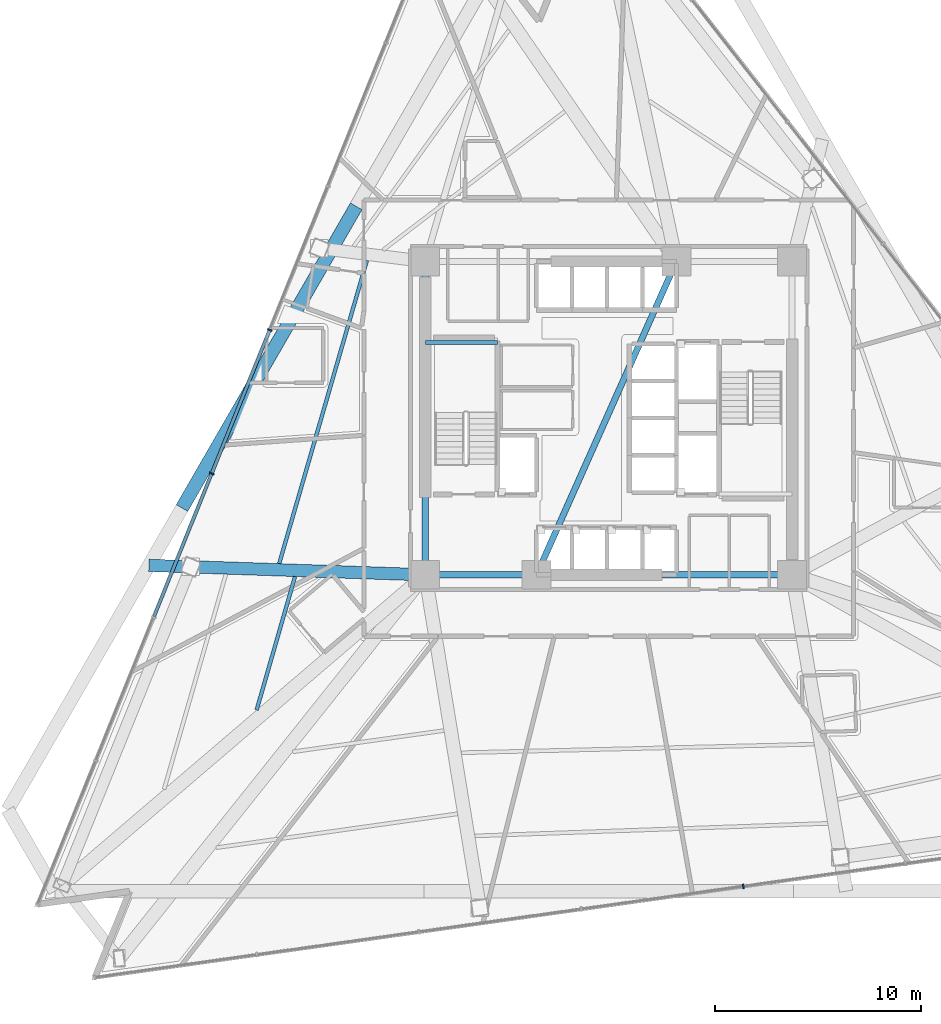
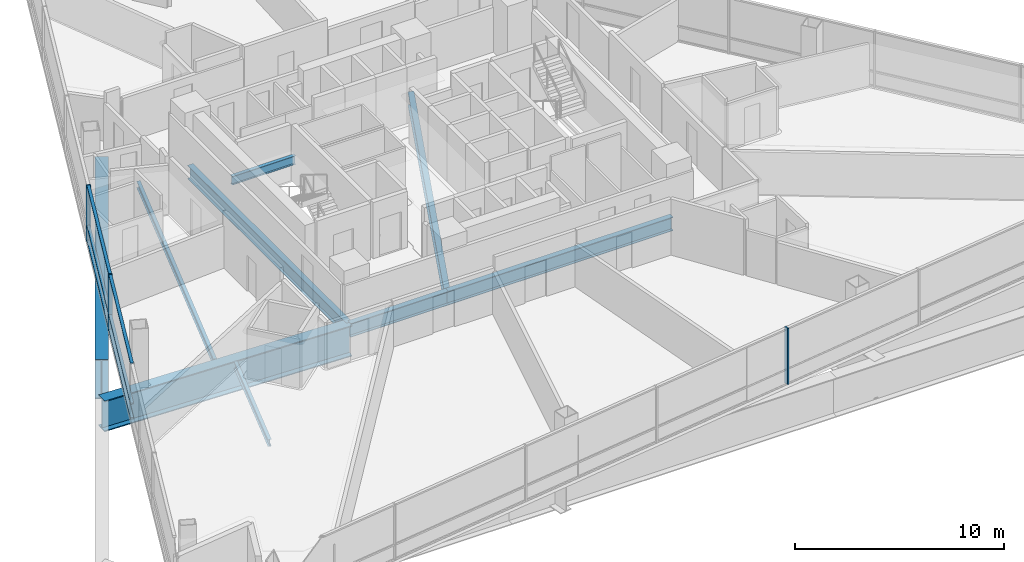
# One storey, part 3 of 15: 9 beams, 9 members, 2 elements without a shape of their own.
"""IFC4 building model written with IfcOpenShell, lengths in metres."""

import ifcopenshell
import ifcopenshell.guid

model = None  # the IFC model being written
_history = None  # IfcOwnerHistory: only IFC2X3 demands one
_inside = {}  # id of a spatial element -> (the spatial element, [elements in it])
_under = {}  # id of a project, library or spatial element -> (it, [spatial elements below it])
_declared = {}  # id of a project -> (the project, [libraries it declares])
_typed = {}  # id of a type object -> (the type object, [elements of that type])
_made_of = {}  # id of a material, layer set ... -> (it, [elements and type objects made of it])


def new_model(schema):
    """Start an empty IFC model of exactly this schema.

    Asked for "IFC4X3", IfcOpenShell would pick the latest addendum, in which some entities
    have other attributes; the version numbers below select the first issue.
    IFC2X3 requires an IfcOwnerHistory on every rooted entity: one is made here for all.
    """
    global model, _history
    if schema == "IFC4X3":
        model = ifcopenshell.file(schema_version=(4, 3, 0, 0))
    else:
        model = ifcopenshell.file(schema=schema)
    _inside.clear()
    _under.clear()
    _declared.clear()
    _typed.clear()
    _made_of.clear()
    _history = None
    if model.schema == "IFC2X3":
        org = make("IfcOrganization", Name="unknown")
        user = make(
            "IfcPersonAndOrganization",
            ThePerson=make("IfcPerson", FamilyName="unknown"),
            TheOrganization=org,
        )
        app = make(
            "IfcApplication",
            ApplicationDeveloper=org,
            Version="unknown",
            ApplicationFullName="unknown",
            ApplicationIdentifier="unknown",
        )
        _history = make(
            "IfcOwnerHistory",
            OwningUser=user,
            OwningApplication=app,
            ChangeAction="ADDED",
            CreationDate=0,
        )
    return model


def make(cls, **values):
    """One entity of the class cls with the attributes given. An attribute that is None is left unset."""
    return model.create_entity(
        cls, **{name: value for name, value in values.items() if value is not None}
    )


def rooted(cls, **values):
    """An entity with a GlobalId (a new one), such as an element, a storey or a relation."""
    return make(cls, GlobalId=ifcopenshell.guid.new(), OwnerHistory=_history, **values)


def si_unit(unit_type, name, prefix=None):
    """IfcSIUnit, for example si_unit("LENGTHUNIT", "METRE", prefix="MILLI")."""
    return make("IfcSIUnit", UnitType=unit_type, Prefix=prefix, Name=name)


def assignment(units):
    """IfcUnitAssignment: the units of a project."""
    return None if units is None else make("IfcUnitAssignment", Units=units)


def point(xyz):
    """IfcCartesianPoint."""
    return None if xyz is None else make("IfcCartesianPoint", Coordinates=xyz)


def direction(xyz):
    """IfcDirection."""
    return None if xyz is None else make("IfcDirection", DirectionRatios=xyz)


def frame(location, z_axis=None, x_axis=None):
    """IfcAxis2Placement3D, a coordinate frame: its origin and axes. An axis left out is left unset."""
    return make(
        "IfcAxis2Placement3D",
        Location=point(location),
        Axis=direction(z_axis),
        RefDirection=direction(x_axis),
    )


def frame_2d(location, x_axis=None):
    """IfcAxis2Placement2D, a coordinate frame in the plane: its origin and x axis."""
    return make(
        "IfcAxis2Placement2D", Location=point(location), RefDirection=direction(x_axis)
    )


def origin():
    """The frame at (0, 0, 0) with its axes left unset."""
    return frame((0.0, 0.0, 0.0))


def origin_2d():
    """The frame at (0, 0) in the plane with its x axis left unset."""
    return frame_2d((0.0, 0.0))


def place(relative_to, where):
    """IfcLocalPlacement: puts the frame where relative to a parent placement (None: the world)."""
    return make(
        "IfcLocalPlacement", PlacementRelTo=relative_to, RelativePlacement=where
    )


def context(
    kind, dimensions, precision=None, world=None, true_north=None, identifier=None
):
    """IfcGeometricRepresentationContext, for example the 3D "Model" context."""
    return make(
        "IfcGeometricRepresentationContext",
        ContextIdentifier=identifier,
        ContextType=kind,
        CoordinateSpaceDimension=dimensions,
        Precision=precision,
        WorldCoordinateSystem=world,
        TrueNorth=true_north,
    )


def subcontext(parent, identifier, kind, view, scale=None):
    """IfcGeometricRepresentationSubContext, for example "Body" below "Model"."""
    return make(
        "IfcGeometricRepresentationSubContext",
        ContextIdentifier=identifier,
        ContextType=kind,
        ParentContext=parent,
        TargetScale=scale,
        TargetView=view,
    )


def project(units=None, contexts=None):
    """IfcProject with its units and contexts."""
    return rooted(
        "IfcProject",
        Name="project",
        RepresentationContexts=contexts,
        UnitsInContext=assignment(units),
    )


def spatial(cls, under=None, at=None, **own):
    """A site, building, storey or space (cls), placed at a placement, below another one or the project."""
    s = rooted(cls, ObjectPlacement=at, **own)
    if under is not None:
        _under.setdefault(under.id(), (under, []))[1].append(s)
    return s


def profile(cls, at=None, kind="AREA", **sizes):
    """A parametric profile (cls). Its sizes go by their IFC names, for example OverallWidth=200.0."""
    return make(cls, ProfileType=kind, Position=at, **sizes)


def rectangle(**sizes):
    """IfcRectangleProfileDef."""
    return profile("IfcRectangleProfileDef", **sizes)


def i_section(**sizes):
    """IfcIShapeProfileDef."""
    return profile("IfcIShapeProfileDef", **sizes)


def extrude(swept, where, along, depth):
    """IfcExtrudedAreaSolid: the profile swept, set in the frame where, extruded along a direction by depth."""
    return make(
        "IfcExtrudedAreaSolid",
        SweptArea=swept,
        Position=where,
        ExtrudedDirection=direction(along),
        Depth=depth,
    )


def shape(context_of_items, identifier, shape_type, items):
    """IfcShapeRepresentation: the items that make up one representation, for example the "Body"."""
    return make(
        "IfcShapeRepresentation",
        ContextOfItems=context_of_items,
        RepresentationIdentifier=identifier,
        RepresentationType=shape_type,
        Items=items,
    )


def material(Name=None, Category=None):
    """IfcMaterial."""
    return make("IfcMaterial", Name=Name, Category=Category)


def layer(
    of_material, thickness, ventilated=None, Name=None, Category=None, Priority=None
):
    """IfcMaterialLayer: one layer of a wall or slab, of a material (None: an air gap)."""
    return make(
        "IfcMaterialLayer",
        Material=of_material,
        LayerThickness=thickness,
        IsVentilated=ventilated,
        Name=Name,
        Category=Category,
        Priority=Priority,
    )


def layer_set(layers, Name=None):
    """IfcMaterialLayerSet."""
    return make("IfcMaterialLayerSet", MaterialLayers=layers, LayerSetName=Name)


def material_profile(
    of_material, cross_section, Name=None, Category=None, Priority=None
):
    """IfcMaterialProfile: a cross section and its material."""
    return make(
        "IfcMaterialProfile",
        Name=Name,
        Material=of_material,
        Profile=cross_section,
        Priority=Priority,
        Category=Category,
    )


def profile_set(profiles, Name=None, composite=None):
    """IfcMaterialProfileSet."""
    return make(
        "IfcMaterialProfileSet",
        Name=Name,
        MaterialProfiles=profiles,
        CompositeProfile=composite,
    )


def made_of(thing, what):
    """Note that an element or type object is made of a material, layer set ...; save() writes the relation."""
    if what is not None:
        _made_of.setdefault(what.id(), (what, []))[1].append(thing)
    return thing


def type_object(cls, material=None, **own):
    """A type object (cls), such as IfcWallType, which elements share."""
    return made_of(rooted(cls, **own), material)


def element(
    cls,
    number,
    at=None,
    inside=None,
    cuts=None,
    type_object=None,
    material=None,
    context=None,
    identifier="Body",
    shape_type=None,
    held_by="IfcProductDefinitionShape",
    body=None,
    shapes=None,
    **own,
):
    """One element of the class cls, such as IfcWall. Its Tag is "e" and its number.

    at: its placement. inside: the storey or other place that contains it. cuts: it is an
    opening in that element (IfcRelVoidsElement). A single representation is given by context,
    identifier, shape_type and body (its items); several are given by shapes. held_by: the class
    of the entity that holds the representations. save() writes the other relations.
    """
    e = rooted(cls, Tag="e%d" % number, ObjectPlacement=at, **own)
    if body is not None:
        shapes = [shape(context, identifier, shape_type, body)]
    if shapes is not None:
        e.Representation = make(held_by, Representations=shapes)
    if inside is not None:
        _inside.setdefault(inside.id(), (inside, []))[1].append(e)
    if cuts is not None:
        rooted(
            "IfcRelVoidsElement", RelatingBuildingElement=cuts, RelatedOpeningElement=e
        )
    if type_object is not None:
        _typed.setdefault(type_object.id(), (type_object, []))[1].append(e)
    return made_of(e, material)


def aggregate(whole, parts):
    """IfcRelAggregates: a whole, such as a stair, and the parts it consists of."""
    return rooted("IfcRelAggregates", RelatingObject=whole, RelatedObjects=parts)


def save(model, path):
    """Write the relations noted so far, then the file.

    IfcRelAggregates (storeys below a building ...), IfcRelContainedInSpatialStructure (elements
    in a storey), IfcRelDefinesByType, IfcRelAssociatesMaterial and IfcRelDeclares: one each for
    every whole, place, type object, material and project.
    """
    for whole, parts in _under.values():
        aggregate(whole, parts)
    for where, things in _inside.values():
        rooted(
            "IfcRelContainedInSpatialStructure",
            RelatedElements=things,
            RelatingStructure=where,
        )
    for kind, things in _typed.values():
        rooted("IfcRelDefinesByType", RelatedObjects=things, RelatingType=kind)
    for what, things in _made_of.values():
        rooted("IfcRelAssociatesMaterial", RelatedObjects=things, RelatingMaterial=what)
    for by, libraries in _declared.values():
        rooted("IfcRelDeclares", RelatingContext=by, RelatedDefinitions=libraries)
    model.write(path)


model = new_model("IFC4")

# Units and contexts
model_context = context("Model", 3, precision=1e-05, world=origin(), true_north=direction((0.0, 1.0)))
body_context = subcontext(model_context, "Body", "Model", "MODEL_VIEW")
ifc_project = project(units=[si_unit("LENGTHUNIT", "METRE"), si_unit("AREAUNIT", "SQUARE_METRE"), si_unit("VOLUMEUNIT", "CUBIC_METRE"), si_unit("PLANEANGLEUNIT", "RADIAN"), si_unit("MASSUNIT", "GRAM", prefix="KILO")], contexts=[model_context])

# Site, building, storey
site_placement = place(None, origin())
site = spatial("IfcSite", under=ifc_project, at=site_placement, CompositionType="ELEMENT")
building_placement = place(site_placement, origin())
building = spatial("IfcBuilding", under=site, at=building_placement, Name="Tharavind Bronze Gate", CompositionType="ELEMENT")
storey_placement = place(building_placement, frame((0.0, 0.0, 57.0)))
storey = spatial("IfcBuildingStorey", under=building, at=storey_placement, Name="L13", CompositionType="ELEMENT", Elevation=57.0)

# Curtain wall, members
ifc_material_1 = material(Name="Anodised Bronze Aluminium", Category="aluminium")
ifc_layer = layer(ifc_material_1, 0.219970703125)
ifc_layer_set = layer_set([ifc_layer], Name="Anodised Bronze Aluminium")
curtain_wall_type = type_object("IfcCurtainWallType", Name="UNITISED CURTAIN WALL HOTEL", PredefinedType="USERDEFINED", material=ifc_layer_set)
curtain_wall_1_placement = place(storey_placement, origin())
curtain_wall_1 = element("IfcCurtainWall", 1, at=curtain_wall_1_placement, inside=storey, type_object=curtain_wall_type, Name="L13 unitised curtain wall hotel CW-L13-S1", ObjectType="UNITISED CURTAIN WALL", PredefinedType="USERDEFINED")
member_type_1 = type_object("IfcMemberType", Name="CURTAIN WALL MULLION 80X220", PredefinedType="MULLION", material=ifc_material_1)
member_1_placement = place(storey_placement, frame((-16.4462890625, 4.279541015625, 0.0), z_axis=(0.0, 0.0, 1.0), x_axis=(-0.374606593416, -0.927183854567, 0.0)))
member_1 = element("IfcMember", 2, at=member_1_placement, type_object=member_type_1, Name="CW-L13-S1 mullion 4", PredefinedType="MULLION", context=body_context, shape_type="SweptSolid", body=[
    extrude(rectangle(XDim=0.080078125, YDim=0.219970703125, at=origin_2d()), origin(), (0.0, 0.0, 1.0), 3.27490234375),
])
member_2_placement = place(storey_placement, frame((-19.261474609375, -2.688232421875, 0.0), z_axis=(0.0, 0.0, 1.0), x_axis=(-0.374606593416, -0.927183854567, 0.0)))
member_2 = element("IfcMember", 3, at=member_2_placement, type_object=member_type_1, Name="CW-L13-S1 mullion 5", PredefinedType="MULLION", context=body_context, shape_type="SweptSolid", body=[
    extrude(rectangle(XDim=0.080078125, YDim=0.219970703125, at=origin_2d()), origin(), (0.0, 0.0, 1.0), 3.27490234375),
])

# Curtain wall, member
curtain_wall_2_placement = place(storey_placement, origin())
curtain_wall_2 = element("IfcCurtainWall", 4, at=curtain_wall_2_placement, inside=storey, type_object=curtain_wall_type, Name="L13 unitised curtain wall hotel CW-L13-S2", ObjectType="UNITISED CURTAIN WALL", PredefinedType="USERDEFINED")
member_3_placement = place(storey_placement, frame((6.52880859375, -22.7158203125, 0.0), z_axis=(0.0, 0.0, 1.0), x_axis=(0.990268068742, 0.13917310096, 0.0)))
member_3 = element("IfcMember", 5, at=member_3_placement, type_object=member_type_1, Name="CW-L13-S2 mullion 5", PredefinedType="MULLION", context=body_context, shape_type="SweptSolid", body=[
    extrude(rectangle(XDim=0.080078125, YDim=0.219970703125, at=origin_2d()), origin(), (0.0, 0.0, 1.0), 3.27490234375),
])
aggregate(curtain_wall_2, [member_3])

# Member
member_type_2 = type_object("IfcMemberType", Name="CURTAIN WALL TRANSOM 80X160", PredefinedType="USERDEFINED", material=ifc_material_1)
member_4_placement = place(storey_placement, frame((-17.85400390625, 0.795654296875, 0.0), z_axis=(0.0, 0.0, 1.0), x_axis=(-0.374606593416, -0.927183854567, 0.0)))
member_4 = element("IfcMember", 6, at=member_4_placement, type_object=member_type_2, Name="CW-L13-S1 transom TB4", ObjectType="TRANSOM", PredefinedType="USERDEFINED", context=body_context, shape_type="SweptSolid", body=[
    extrude(rectangle(XDim=7.447021484375, YDim=0.159912109375, at=origin_2d()), origin(), (0.0, 0.0, 1.0), 0.080078125),
])

member_5_placement = place(storey_placement, frame((-17.85400390625, 0.795654296875, 0.85986328125), z_axis=(0.0, 0.0, 1.0), x_axis=(-0.374606593416, -0.927183854567, 0.0)))
member_5 = element("IfcMember", 7, at=member_5_placement, type_object=member_type_2, Name="CW-L13-S1 transom TS4", ObjectType="TRANSOM", PredefinedType="USERDEFINED", context=body_context, shape_type="SweptSolid", body=[
    extrude(rectangle(XDim=7.447021484375, YDim=0.159912109375, at=origin_2d()), origin(), (0.0, 0.0, 1.0), 0.080078125),
])

member_6_placement = place(storey_placement, frame((-17.85400390625, 0.795654296875, 3.195068359375), z_axis=(0.0, 0.0, 1.0), x_axis=(-0.374606593416, -0.927183854567, 0.0)))
member_6 = element("IfcMember", 8, at=member_6_placement, type_object=member_type_2, Name="CW-L13-S1 transom TT4", ObjectType="TRANSOM", PredefinedType="USERDEFINED", context=body_context, shape_type="SweptSolid", body=[
    extrude(rectangle(XDim=7.447021484375, YDim=0.159912109375, at=origin_2d()), origin(), (0.0, 0.0, 1.0), 0.080078125),
])

member_7_placement = place(storey_placement, frame((-20.669189453125, -6.17236328125, 0.0), z_axis=(0.0, 0.0, 1.0), x_axis=(-0.374606593416, -0.927183854567, 0.0)))
member_7 = element("IfcMember", 9, at=member_7_placement, type_object=member_type_2, Name="CW-L13-S1 transom TB5", ObjectType="TRANSOM", PredefinedType="USERDEFINED", context=body_context, shape_type="SweptSolid", body=[
    extrude(rectangle(XDim=7.447021484375, YDim=0.159912109375, at=origin_2d()), origin(), (0.0, 0.0, 1.0), 0.080078125),
])

member_8_placement = place(storey_placement, frame((-20.669189453125, -6.17236328125, 0.85986328125), z_axis=(0.0, 0.0, 1.0), x_axis=(-0.374606593416, -0.927183854567, 0.0)))
member_8 = element("IfcMember", 10, at=member_8_placement, type_object=member_type_2, Name="CW-L13-S1 transom TS5", ObjectType="TRANSOM", PredefinedType="USERDEFINED", context=body_context, shape_type="SweptSolid", body=[
    extrude(rectangle(XDim=7.447021484375, YDim=0.159912109375, at=origin_2d()), origin(), (0.0, 0.0, 1.0), 0.080078125),
])

member_9_placement = place(storey_placement, frame((-20.669189453125, -6.17236328125, 3.195068359375), z_axis=(0.0, 0.0, 1.0), x_axis=(-0.374606593416, -0.927183854567, 0.0)))
member_9 = element("IfcMember", 11, at=member_9_placement, type_object=member_type_2, Name="CW-L13-S1 transom TT5", ObjectType="TRANSOM", PredefinedType="USERDEFINED", context=body_context, shape_type="SweptSolid", body=[
    extrude(rectangle(XDim=7.447021484375, YDim=0.159912109375, at=origin_2d()), origin(), (0.0, 0.0, 1.0), 0.080078125),
])

aggregate(curtain_wall_1, [member_1, member_2, member_4, member_5, member_6, member_7, member_8, member_9])

# Beams
ifc_material_2 = material(Name="Steel S355", Category="steel")
ifc_material_profile_1 = material_profile(ifc_material_2, i_section(OverallWidth=0.199951171875, OverallDepth=0.5, WebThickness=0.01025390625, FlangeThickness=0.01611328125, at=origin_2d()), Name="IPE500")
ifc_profile_set_1 = profile_set([ifc_material_profile_1], Name="Steel S355")
beam_type_1 = type_object("IfcBeamType", Name="PRIMARY GIRDER IPE500", PredefinedType="USERDEFINED", material=ifc_profile_set_1)
beam_1_placement = place(storey_placement, frame((-8.89990234375, 3.679931640625, 1.27490234375), z_axis=(1.0, 0.0, 0.0), x_axis=(0.0, 1.0, 0.0)))
element("IfcBeam", 12, at=beam_1_placement, inside=storey, type_object=beam_type_1, Name="L13 primary girder ipe500 BM-LD-ST1-L13-1", ObjectType="GIRDER", PredefinedType="USERDEFINED", context=body_context, shape_type="SweptSolid", body=[
    extrude(i_section(OverallWidth=0.199951171875, OverallDepth=0.5, WebThickness=0.01025390625, FlangeThickness=0.01611328125, at=origin_2d()), origin(), (0.0, 0.0, 1.0), 3.5),
])
ifc_material_profile_2 = material_profile(ifc_material_2, i_section(OverallWidth=0.300048828125, OverallDepth=0.800048828125, WebThickness=0.017578125, FlangeThickness=0.032958984375, at=origin_2d()), Name="HE800B")
ifc_profile_set_2 = profile_set([ifc_material_profile_2], Name="Steel S355")
beam_type_2 = type_object("IfcBeamType", Name="RING GIRDER HE800B", PredefinedType="USERDEFINED", material=ifc_profile_set_2)
beam_2_placement = place(storey_placement, frame((-8.89990234375, -7.60009765625, -0.590087890625), z_axis=(1.0, 0.0, 0.0), x_axis=(0.0, 1.0, 0.0)))
element("IfcBeam", 13, at=beam_2_placement, inside=storey, type_object=beam_type_2, Name="L13 ring girder he800b BM-L13-CR1", ObjectType="GIRDER", PredefinedType="USERDEFINED", context=body_context, shape_type="SweptSolid", body=[
    extrude(i_section(OverallWidth=0.300048828125, OverallDepth=0.800048828125, WebThickness=0.017578125, FlangeThickness=0.032958984375, at=origin_2d()), origin(), (0.0, 0.0, 1.0), 5.39990234375),
])
beam_3_placement = place(storey_placement, frame((-3.5, -7.60009765625, -0.590087890625), z_axis=(1.0, 0.0, 0.0), x_axis=(0.0, 1.0, 0.0)))
element("IfcBeam", 14, at=beam_3_placement, inside=storey, type_object=beam_type_2, Name="L13 ring girder he800b BM-L13-CR2", ObjectType="GIRDER", PredefinedType="USERDEFINED", context=body_context, shape_type="SweptSolid", body=[
    extrude(i_section(OverallWidth=0.300048828125, OverallDepth=0.800048828125, WebThickness=0.017578125, FlangeThickness=0.032958984375, at=origin_2d()), origin(), (0.0, 0.0, 1.0), 12.39990234375),
])
beam_4_placement = place(storey_placement, frame((-8.89990234375, 7.60009765625, -0.590087890625), z_axis=(0.0, -1.0, 0.0), x_axis=(1.0, 0.0, 0.0)))
element("IfcBeam", 15, at=beam_4_placement, inside=storey, type_object=beam_type_2, Name="L13 ring girder he800b BM-L13-CR6", ObjectType="GIRDER", PredefinedType="USERDEFINED", context=body_context, shape_type="SweptSolid", body=[
    extrude(i_section(OverallWidth=0.300048828125, OverallDepth=0.800048828125, WebThickness=0.017578125, FlangeThickness=0.032958984375, at=origin_2d()), origin(), (0.0, 0.0, 1.0), 15.2001953125),
])
beam_5_placement = place(storey_placement, frame((-3.5, -7.60009765625, -0.590087890625), z_axis=(0.407361644566, 0.913266932795, 0.0), x_axis=(-0.913266932795, 0.407361644566, 0.0)))
element("IfcBeam", 16, at=beam_5_placement, inside=storey, type_object=beam_type_2, Name="L13 ring girder he800b BM-L13-CR7", ObjectType="GIRDER", PredefinedType="USERDEFINED", context=body_context, shape_type="SweptSolid", body=[
    extrude(i_section(OverallWidth=0.300048828125, OverallDepth=0.800048828125, WebThickness=0.017578125, FlangeThickness=0.032958984375, at=origin_2d()), origin(), (0.0, 0.0, 1.0), 16.643798828125),
])
ifc_material_profile_3 = material_profile(ifc_material_2, i_section(OverallWidth=0.179931640625, OverallDepth=0.39990234375, WebThickness=0.008544921875, FlangeThickness=0.013427734375, at=origin_2d()), Name="IPE400")
ifc_profile_set_3 = profile_set([ifc_material_profile_3], Name="Steel S355")
beam_type_3 = type_object("IfcBeamType", Name="SECONDARY FLOOR JOIST IPE400", PredefinedType="JOIST", material=ifc_profile_set_3)
beam_6_placement = place(storey_placement, frame((-11.7333984375, 7.64794921875, -0.389892578125), z_axis=(-0.277955440636, -0.960593968865, 0.0), x_axis=(0.960593968865, -0.277955440636, 0.0)))
element("IfcBeam", 17, at=beam_6_placement, inside=storey, type_object=beam_type_3, Name="L13 secondary floor joist ipe400 BM-L13-JSTA02", PredefinedType="JOIST", context=body_context, shape_type="SweptSolid", body=[
    extrude(i_section(OverallWidth=0.179931640625, OverallDepth=0.39990234375, WebThickness=0.008544921875, FlangeThickness=0.013427734375, at=origin_2d()), origin(), (0.0, 0.0, 1.0), 15.30615234375),
])
beam_7_placement = place(storey_placement, frame((-15.22265625, -7.689208984375, -0.389892578125), z_axis=(-0.276266021954, -0.961081206306, 0.0), x_axis=(0.961081206306, -0.276266021954, 0.0)))
element("IfcBeam", 18, at=beam_7_placement, inside=storey, type_object=beam_type_3, Name="L13 secondary floor joist ipe400 BM-L13-JSTA03", PredefinedType="JOIST", context=body_context, shape_type="SweptSolid", body=[
    extrude(i_section(OverallWidth=0.179931640625, OverallDepth=0.39990234375, WebThickness=0.008544921875, FlangeThickness=0.013427734375, at=origin_2d()), origin(), (0.0, 0.0, 1.0), 6.739990234375),
])
ifc_material_3 = material(Name="Steel S460", Category="steel")
ifc_material_profile_4 = material_profile(ifc_material_3, i_section(OverallWidth=0.60009765625, OverallDepth=1.800048828125, WebThickness=0.031982421875, FlangeThickness=0.054931640625, at=origin_2d()), Name="PG1800X600")
ifc_profile_set_4 = profile_set([ifc_material_profile_4], Name="Steel S460")
beam_type_4 = type_object("IfcBeamType", Name="TRANSFER GIRDER 1800X600", PredefinedType="USERDEFINED", material=ifc_profile_set_4)
beam_8_placement = place(storey_placement, frame((-8.89990234375, -7.60009765625, -1.090087890625), z_axis=(-0.999422307851, 0.033986034935, 0.0), x_axis=(-0.033986034935, -0.999422307851, 0.0)))
element("IfcBeam", 19, at=beam_8_placement, inside=storey, type_object=beam_type_4, Name="L13 transfer girder 1800x600 BM-L13-XFR03", ObjectType="TRANSFER GIRDER", PredefinedType="USERDEFINED", context=body_context, shape_type="SweptSolid", body=[
    extrude(i_section(OverallWidth=0.60009765625, OverallDepth=1.800048828125, WebThickness=0.031982421875, FlangeThickness=0.054931640625, at=origin_2d()), origin(), (0.0, 0.0, 1.0), 13.4189453125),
])
ifc_material_profile_5 = material_profile(ifc_material_3, i_section(OverallWidth=0.64990234375, OverallDepth=2.300048828125, WebThickness=0.035888671875, FlangeThickness=0.05810546875, at=origin_2d()), Name="PG2300X650")
ifc_profile_set_5 = profile_set([ifc_material_profile_5], Name="Steel S460")
beam_type_5 = type_object("IfcBeamType", Name="TRANSFER GIRDER 2300X650", PredefinedType="USERDEFINED", material=ifc_profile_set_5)
beam_9_placement = place(storey_placement, frame((-12.252197265625, 10.278564453125, -1.340087890625), z_axis=(-0.50000832373, -0.866020598023, 0.0), x_axis=(0.866020598023, -0.50000832373, 0.0)))
element("IfcBeam", 20, at=beam_9_placement, inside=storey, type_object=beam_type_5, Name="L13 transfer girder 2300x650 BM-L13-LRG02", ObjectType="TRANSFER GIRDER", PredefinedType="USERDEFINED", context=body_context, shape_type="SweptSolid", body=[
    extrude(i_section(OverallWidth=0.64990234375, OverallDepth=2.300048828125, WebThickness=0.035888671875, FlangeThickness=0.05810546875, at=origin_2d()), origin(), (0.0, 0.0, 1.0), 16.904541015625),
])

save(model, "model.ifc")
